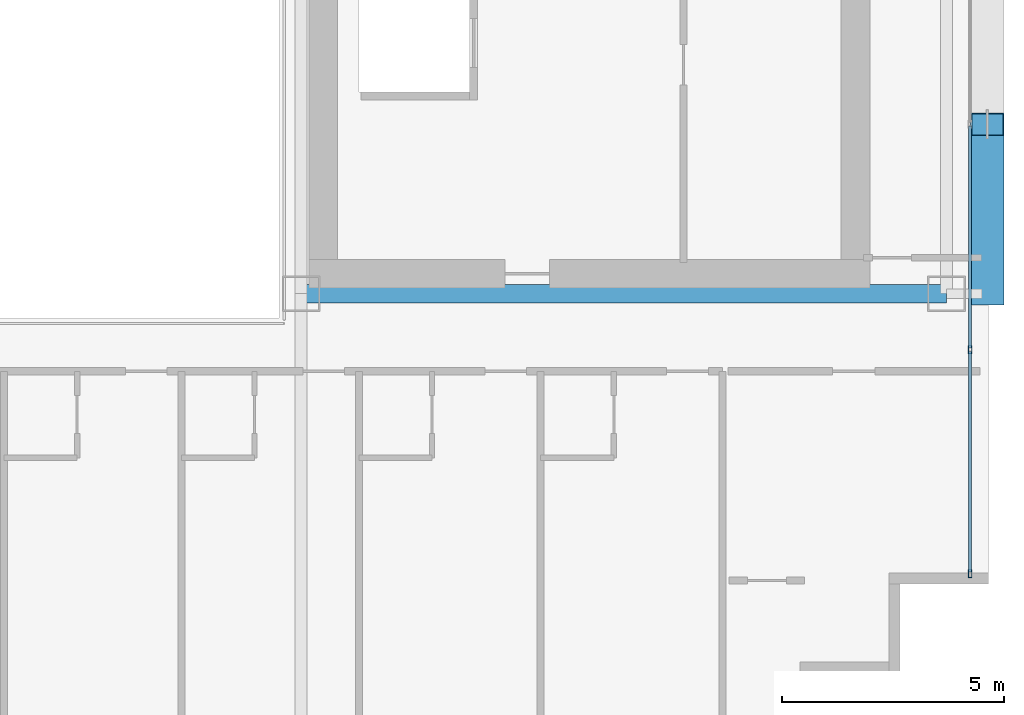
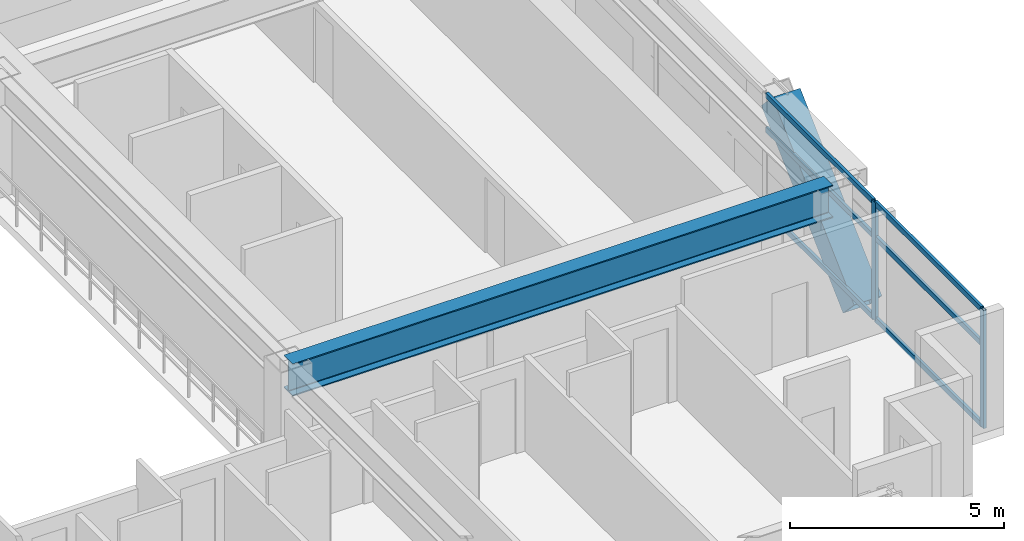
# One storey, part 11 of 36: 9 members, 1 beam, 1 element without a shape of its own.
"""IFC4 building model written with IfcOpenShell, lengths in metres."""

from ifc_helpers import new_model, si_unit, direction, frame, origin, origin_2d, place, context, subcontext, project, spatial, hollow_rectangle, i_section, extrude, source, transform, mapped, material, layer, layer_set, material_profile, profile_set, type_object, element, aggregate, save


model = new_model("IFC4")

# Units and contexts
model_context = context("Model", 3, precision=1e-05, world=origin(), true_north=direction((0.0, 1.0)))
body_context = subcontext(model_context, "Body", "Model", "MODEL_VIEW")
ifc_project = project(units=[si_unit("LENGTHUNIT", "METRE"), si_unit("AREAUNIT", "SQUARE_METRE"), si_unit("VOLUMEUNIT", "CUBIC_METRE"), si_unit("PLANEANGLEUNIT", "RADIAN"), si_unit("MASSUNIT", "GRAM", prefix="KILO")], contexts=[model_context])

# Site, building, storey
site_placement = place(None, origin())
site = spatial("IfcSite", under=ifc_project, at=site_placement, CompositionType="ELEMENT")
building_placement = place(site_placement, origin())
building = spatial("IfcBuilding", under=site, at=building_placement, Name="Ocotamira Hotel", CompositionType="ELEMENT")
storey_placement = place(building_placement, frame((0.0, 0.0, 133.199951171875)))
storey = spatial("IfcBuildingStorey", under=building, at=storey_placement, Name="L33", CompositionType="ELEMENT", Elevation=133.199951171875)

# Beam
ifc_material_1 = material(Name="Steel ASTM A992 Grade 50", Category="steel")
ifc_material_profile_1 = material_profile(ifc_material_1, i_section(OverallWidth=0.41796875, OverallDepth=0.927001953125, WebThickness=0.019287109375, FlangeThickness=0.031982421875, FilletRadius=0.02392578125, at=origin_2d()), Name="W36X231")
ifc_profile_set_1 = profile_set([ifc_material_profile_1], Name="Steel ASTM A992 Grade 50")
beam_type = type_object("IfcBeamType", Name="BM-GIRD-W36X231", PredefinedType="BEAM", material=ifc_profile_set_1)
shared_shape_1 = source(origin(), body_context, "Body", "SweptSolid", [
    extrude(i_section(OverallWidth=0.41796875, OverallDepth=0.927001953125, WebThickness=0.019287109375, FlangeThickness=0.031982421875, FilletRadius=0.02392578125, at=origin_2d()), origin(), (0.0, 0.0, 1.0), 14.550048828125),
])
beam_placement = place(storey_placement, frame((40.5, 14.550048828125, 2.896484375), z_axis=(1.0, 0.0, 0.0), x_axis=(0.0, 1.0, 0.0)))
element("IfcBeam", 1, at=beam_placement, inside=storey, type_object=beam_type, Name="L33 Girder Y14.55 X40.5-55.05", PredefinedType="BEAM", context=body_context, shape_type="MappedRepresentation", body=[
    mapped(shared_shape_1, transform((0.0, 0.0, 0.0), scale=1.0)),
])

# Member
ifc_material_2 = material(Name="Pale-metal coated steel ASTM A913 Grade 65", Category="steel")
ifc_material_profile_2 = material_profile(ifc_material_2, hollow_rectangle(XDim=0.75, YDim=0.75, WallThickness=0.028076171875, at=origin_2d()), Name="BOX750X750X28")
ifc_profile_set_2 = profile_set([ifc_material_profile_2], Name="Pale-metal coated steel ASTM A913 Grade 65")
member_type_1 = type_object("IfcMemberType", Name="MEM-EXO-BOX750", PredefinedType="BRACE", material=ifc_profile_set_2)
shared_shape_2 = source(origin(), body_context, "Body", "SweptSolid", [
    extrude(hollow_rectangle(XDim=0.75, YDim=0.75, WallThickness=0.028076171875, at=origin_2d()), origin(), (0.0, 0.0, 1.0), 5.24658203125),
])
member_1_placement = place(storey_placement, frame((55.969970703125, 14.550048828125, -0.489990234375), z_axis=(0.0, 0.727442733726, 0.686168397078), x_axis=(-1.0, 0.0, 0.0)))
element("IfcMember", 2, at=member_1_placement, inside=storey, type_object=member_type_1, Name="L33 Exoskeleton Diagrid E0.1", PredefinedType="BRACE", context=body_context, shape_type="MappedRepresentation", body=[
    mapped(shared_shape_2, transform((0.0, 0.0, 0.0), scale=1.0)),
])

# Curtain wall, members
ifc_material_3 = material(Name="Anodised pale-metal aluminium and solar glass", Category="aluminium")
ifc_layer = layer(ifc_material_3, 0.179931640625)
ifc_layer_set = layer_set([ifc_layer], Name="Anodised pale-metal aluminium and solar glass")
curtain_wall_type = type_object("IfcCurtainWallType", Name="CW-SYS3-Z2", PredefinedType="NOTDEFINED", material=ifc_layer_set)
curtain_wall_placement = place(storey_placement, origin())
curtain_wall = element("IfcCurtainWall", 3, at=curtain_wall_placement, inside=storey, type_object=curtain_wall_type, Name="L33 Curtain Wall CW-3 CW-L33-E", PredefinedType="NOTDEFINED")
ifc_material_4 = material(Name="Anodised pale-metal aluminium 6063-T6", Category="aluminium")
ifc_material_profile_3 = material_profile(ifc_material_4, hollow_rectangle(XDim=0.074951171875, YDim=0.14990234375, WallThickness=0.006103515625, at=origin_2d()), Name="HSS150X75X6")
ifc_profile_set_3 = profile_set([ifc_material_profile_3], Name="Anodised pale-metal aluminium 6063-T6")
member_type_2 = type_object("IfcMemberType", Name="CWT-150X75", PredefinedType="USERDEFINED", material=ifc_profile_set_3)
shared_shape_3 = source(origin(), body_context, "Body", "SweptSolid", [
    extrude(hollow_rectangle(XDim=0.074951171875, YDim=0.14990234375, WallThickness=0.006103515625, at=origin_2d()), origin(), (0.0, 0.0, 1.0), 4.965576171875),
])
member_2_placement = place(storey_placement, frame((55.580078125, 8.280029296875, 0.03759765625), z_axis=(0.0, 1.0, 0.0), x_axis=(-1.0, 0.0, 0.0)))
member_2 = element("IfcMember", 4, at=member_2_placement, type_object=member_type_2, Name="CW-3 transom 1.1", ObjectType="TRANSOM", PredefinedType="USERDEFINED", context=body_context, shape_type="MappedRepresentation", body=[
    mapped(shared_shape_3, transform((0.0, 0.0, 0.0), scale=1.0)),
])
member_3_placement = place(storey_placement, frame((55.580078125, 8.280029296875, 2.35009765625), z_axis=(0.0, 1.0, 0.0), x_axis=(-1.0, 0.0, 0.0)))
member_3 = element("IfcMember", 5, at=member_3_placement, type_object=member_type_2, Name="CW-3 transom 1.2", ObjectType="TRANSOM", PredefinedType="USERDEFINED", context=body_context, shape_type="MappedRepresentation", body=[
    mapped(shared_shape_3, transform((0.0, 0.0, 0.0), scale=1.0)),
])
member_4_placement = place(storey_placement, frame((55.580078125, 8.280029296875, 3.322509765625), z_axis=(0.0, 1.0, 0.0), x_axis=(-1.0, 0.0, 0.0)))
member_4 = element("IfcMember", 6, at=member_4_placement, type_object=member_type_2, Name="CW-3 transom 1.3", ObjectType="TRANSOM", PredefinedType="USERDEFINED", context=body_context, shape_type="MappedRepresentation", body=[
    mapped(shared_shape_3, transform((0.0, 0.0, 0.0), scale=1.0)),
])
shared_shape_4 = source(origin(), body_context, "Body", "SweptSolid", [
    extrude(hollow_rectangle(XDim=0.074951171875, YDim=0.14990234375, WallThickness=0.006103515625, at=origin_2d()), origin(), (0.0, 0.0, 1.0), 5.005859375),
])
member_5_placement = place(storey_placement, frame((55.580078125, 13.32568359375, 0.03759765625), z_axis=(0.0, 1.0, 0.0), x_axis=(-1.0, 0.0, 0.0)))
member_5 = element("IfcMember", 7, at=member_5_placement, type_object=member_type_2, Name="CW-3 transom 2.1", ObjectType="TRANSOM", PredefinedType="USERDEFINED", context=body_context, shape_type="MappedRepresentation", body=[
    mapped(shared_shape_4, transform((0.0, 0.0, 0.0), scale=1.0)),
])
member_6_placement = place(storey_placement, frame((55.580078125, 13.32568359375, 2.35009765625), z_axis=(0.0, 1.0, 0.0), x_axis=(-1.0, 0.0, 0.0)))
member_6 = element("IfcMember", 8, at=member_6_placement, type_object=member_type_2, Name="CW-3 transom 2.2", ObjectType="TRANSOM", PredefinedType="USERDEFINED", context=body_context, shape_type="MappedRepresentation", body=[
    mapped(shared_shape_4, transform((0.0, 0.0, 0.0), scale=1.0)),
])
member_7_placement = place(storey_placement, frame((55.580078125, 13.32568359375, 3.322509765625), z_axis=(0.0, 1.0, 0.0), x_axis=(-1.0, 0.0, 0.0)))
member_7 = element("IfcMember", 9, at=member_7_placement, type_object=member_type_2, Name="CW-3 transom 2.3", ObjectType="TRANSOM", PredefinedType="USERDEFINED", context=body_context, shape_type="MappedRepresentation", body=[
    mapped(shared_shape_4, transform((0.0, 0.0, 0.0), scale=1.0)),
])
ifc_material_profile_4 = material_profile(ifc_material_4, hollow_rectangle(XDim=0.080078125, YDim=0.179931640625, WallThickness=0.006103515625, at=origin_2d()), Name="HSS180X80X6")
ifc_profile_set_4 = profile_set([ifc_material_profile_4], Name="Anodised pale-metal aluminium 6063-T6")
member_type_3 = type_object("IfcMemberType", Name="CWM-180X75", PredefinedType="MULLION", material=ifc_profile_set_4)
shared_shape_5 = source(origin(), body_context, "Body", "SweptSolid", [
    extrude(hollow_rectangle(XDim=0.080078125, YDim=0.179931640625, WallThickness=0.006103515625, at=origin_2d()), origin(), (0.0, 0.0, 1.0), 3.360107421875),
])
member_8_placement = place(storey_placement, frame((55.580078125, 8.239990234375, 0.0), z_axis=(0.0, 0.0, 1.0), x_axis=(-1.0, 0.0, 0.0)))
member_8 = element("IfcMember", 10, at=member_8_placement, type_object=member_type_3, Name="CW-3 mullion 1", PredefinedType="MULLION", context=body_context, shape_type="MappedRepresentation", body=[
    mapped(shared_shape_5, transform((0.0, 0.0, 0.0), scale=1.0)),
])
member_9_placement = place(storey_placement, frame((55.580078125, 13.28564453125, 0.0), z_axis=(0.0, 0.0, 1.0), x_axis=(-1.0, 0.0, 0.0)))
member_9 = element("IfcMember", 11, at=member_9_placement, type_object=member_type_3, Name="CW-3 mullion 2", PredefinedType="MULLION", context=body_context, shape_type="MappedRepresentation", body=[
    mapped(shared_shape_5, transform((0.0, 0.0, 0.0), scale=1.0)),
])
aggregate(curtain_wall, [member_8, member_9, member_2, member_3, member_4, member_5, member_6, member_7])

save(model, "model.ifc")
